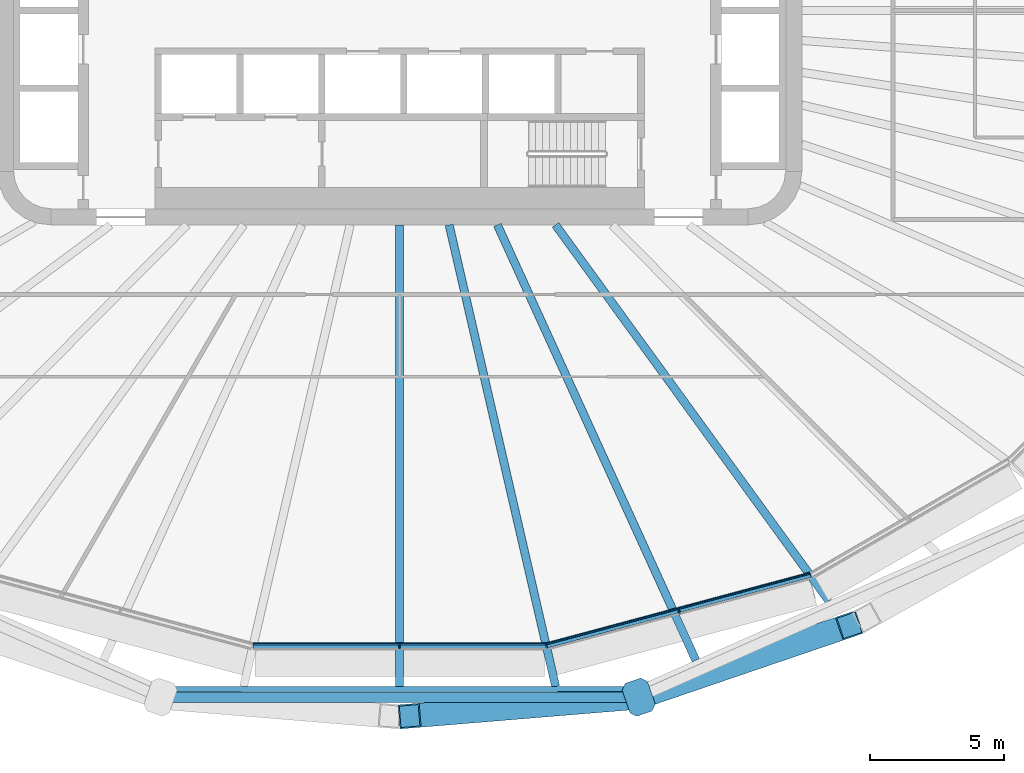
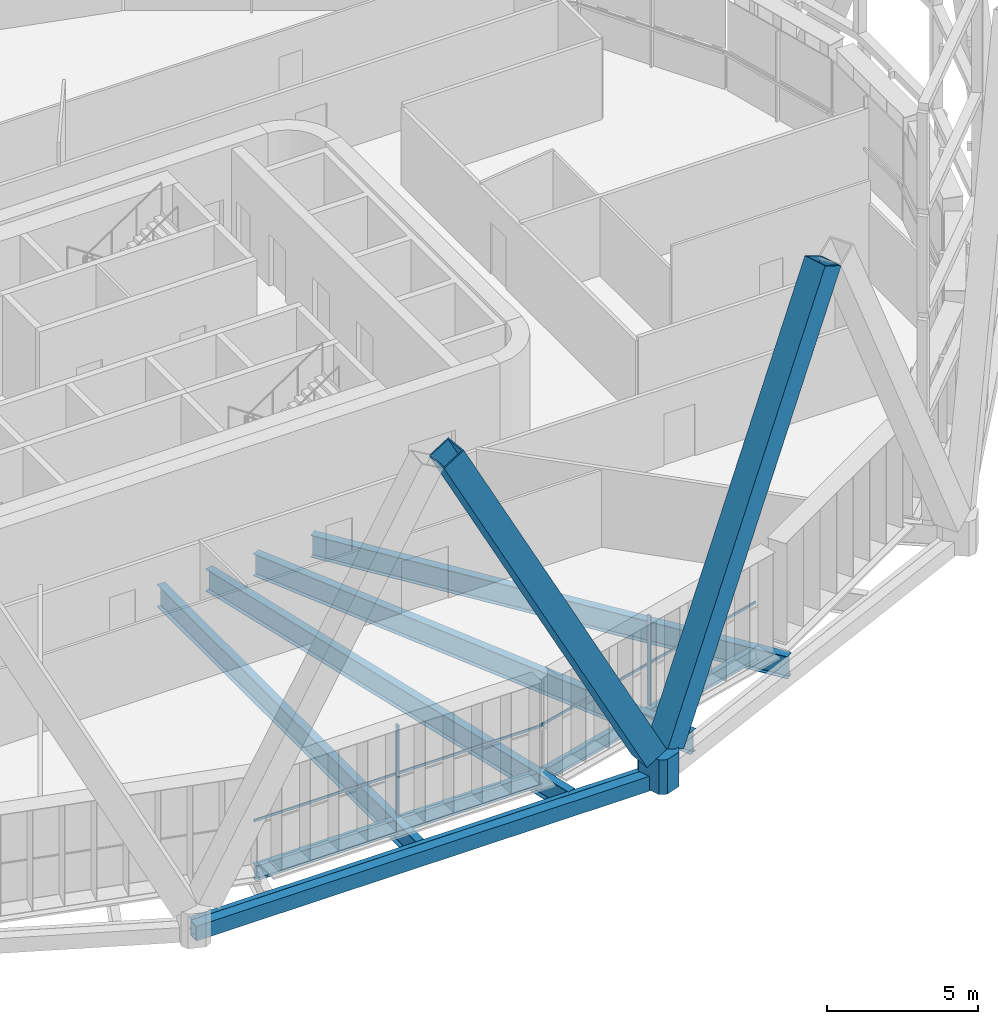
# One storey, part 4 of 26: 8 beams, 7 members, 2 elements without a shape of their own.
"""IFC4 building model written with IfcOpenShell, lengths in metres."""

from ifc_helpers import new_model, si_unit, direction, frame, origin, origin_2d, place, context, subcontext, project, spatial, polyline, rectangle, hollow_rectangle, i_section, outline, extrude, material, layer, layer_set, material_profile, profile_set, type_object, element, aggregate, save


model = new_model("IFC4")

# Units and contexts
model_context = context("Model", 3, precision=1e-05, world=origin(), true_north=direction((0.0, 1.0)))
body_context = subcontext(model_context, "Body", "Model", "MODEL_VIEW")
ifc_project = project(units=[si_unit("LENGTHUNIT", "METRE"), si_unit("AREAUNIT", "SQUARE_METRE"), si_unit("VOLUMEUNIT", "CUBIC_METRE"), si_unit("PLANEANGLEUNIT", "RADIAN"), si_unit("MASSUNIT", "GRAM", prefix="KILO")], contexts=[model_context])

# Site, building, storey
site_placement = place(None, origin())
site = spatial("IfcSite", under=ifc_project, at=site_placement, CompositionType="ELEMENT")
building_placement = place(site_placement, origin())
building = spatial("IfcBuilding", under=site, at=building_placement, Name="Sahrelin Media Tower", CompositionType="ELEMENT")
storey_placement = place(building_placement, frame((0.0, 0.0, 131.39990234375)))
storey = spatial("IfcBuildingStorey", under=building, at=storey_placement, Name="L26", CompositionType="ELEMENT", Elevation=131.39990234375)

# Members
ifc_material_1 = material(Name="Steel S460", Category="steel")
ifc_material_profile_1 = material_profile(ifc_material_1, hollow_rectangle(XDim=0.89990234375, YDim=0.89990234375, WallThickness=0.050048828125, at=origin_2d()), Name="Diagrid diagonal DG3")
ifc_profile_set_1 = profile_set([ifc_material_profile_1], Name="Steel S460")
member_type_1 = type_object("IfcMemberType", Name="Diagrid diagonal DG3", PredefinedType="BRACE", material=ifc_profile_set_1)
member_1_placement = place(storey_placement, frame((8.544189453125, -25.641845703125, 0.7001953125), z_axis=(-0.468421655714, -0.03859318675, 0.882661723649), x_axis=(0.082111624118, -0.996623138997, 0.0)))
element("IfcMember", 1, at=member_1_placement, inside=storey, type_object=member_type_1, Name="Diagrid diagonal D05-18", PredefinedType="BRACE", context=body_context, shape_type="SweptSolid", body=[
    extrude(hollow_rectangle(XDim=0.89990234375, YDim=0.89990234375, WallThickness=0.050048828125, at=origin_2d()), origin(), (0.0, 0.0, 1.0), 17.447021484375),
])
member_2_placement = place(storey_placement, frame((9.25732421875, -25.49462890625, 0.7001953125), z_axis=(0.433754821512, 0.147868079685, 0.888814820885), x_axis=(-0.322668293279, 0.946512109015, 0.0)))
element("IfcMember", 2, at=member_2_placement, inside=storey, type_object=member_type_1, Name="Diagrid diagonal D05-19", PredefinedType="BRACE", context=body_context, shape_type="SweptSolid", body=[
    extrude(hollow_rectangle(XDim=0.89990234375, YDim=0.89990234375, WallThickness=0.050048828125, at=origin_2d()), origin(), (0.0, 0.0, 1.0), 17.326416015625),
])
ifc_material_profile_2 = material_profile(ifc_material_1, outline(polyline([(0.449951171875, -0.5), (0.64990234375, -0.300048828125), (0.64990234375, 0.300048828125), (0.449951171875, 0.5), (-0.449951171875, 0.5), (-0.64990234375, 0.300048828125), (-0.64990234375, -0.300048828125), (-0.449951171875, -0.5), (0.449951171875, -0.5)])), Name="Diagrid node block 1300")
ifc_profile_set_2 = profile_set([ifc_material_profile_2], Name="Steel S460")
member_type_2 = type_object("IfcMemberType", Name="Diagrid node block 1300", PredefinedType="USERDEFINED", material=ifc_profile_set_2)
member_3_placement = place(storey_placement, frame((8.915771484375, -25.611083984375, -0.699951171875), z_axis=(0.0, 0.0, 1.0), x_axis=(0.328769398381, -0.944410230085, 0.0)))
element("IfcMember", 3, at=member_3_placement, inside=storey, type_object=member_type_2, Name="Diagrid node N05-09", ObjectType="NODE", PredefinedType="USERDEFINED", context=body_context, shape_type="SweptSolid", body=[
    extrude(outline(polyline([(0.449951171875, -0.5), (0.64990234375, -0.300048828125), (0.64990234375, 0.300048828125), (0.449951171875, 0.5), (-0.449951171875, 0.5), (-0.64990234375, 0.300048828125), (-0.64990234375, -0.300048828125), (-0.449951171875, -0.5), (0.449951171875, -0.5)])), origin(), (0.0, 0.0, 1.0), 1.400146484375),
])

# Beams
ifc_material_profile_3 = material_profile(ifc_material_1, hollow_rectangle(XDim=0.39990234375, YDim=0.60009765625, WallThickness=0.030029296875, at=origin_2d()), Name="Diagrid ring beam RB1")
ifc_profile_set_3 = profile_set([ifc_material_profile_3], Name="Steel S460")
beam_type_1 = type_object("IfcBeamType", Name="Diagrid ring beam RB1", PredefinedType="BEAM", material=ifc_profile_set_3)
beam_1_placement = place(storey_placement, frame((-8.915771484375, -25.611083984375, -0.449951171875), z_axis=(1.0, 0.0, 0.0), x_axis=(0.0, 1.0, 0.0)))
element("IfcBeam", 4, at=beam_1_placement, inside=storey, type_object=beam_type_1, Name="Diagrid ring beam RB05-08", PredefinedType="BEAM", context=body_context, shape_type="SweptSolid", body=[
    extrude(hollow_rectangle(XDim=0.39990234375, YDim=0.60009765625, WallThickness=0.030029296875, at=origin_2d()), origin(), (0.0, 0.0, 1.0), 17.83154296875),
])
ifc_material_2 = material(Name="Steel S355", Category="steel")
ifc_material_profile_4 = material_profile(ifc_material_2, i_section(OverallWidth=0.208740234375, OverallDepth=0.5283203125, WebThickness=0.009521484375, FlangeThickness=0.01318359375, FilletRadius=0.0126953125, at=origin_2d()), Name="UB 533x210x82")
ifc_profile_set_4 = profile_set([ifc_material_profile_4], Name="Steel S355")
beam_type_2 = type_object("IfcBeamType", Name="Edge beam EB6", PredefinedType="BEAM", material=ifc_profile_set_4)
beam_2_placement = place(storey_placement, frame((15.319091796875, -21.040283203125, -0.4140625), z_axis=(-0.965933162878, -0.258791663026, 0.0), x_axis=(0.258791663026, -0.965933162878, 0.0)))
element("IfcBeam", 5, at=beam_2_placement, inside=storey, type_object=beam_type_2, Name="Edge beam L26-06", PredefinedType="BEAM", context=body_context, shape_type="SweptSolid", body=[
    extrude(i_section(OverallWidth=0.208740234375, OverallDepth=0.5283203125, WebThickness=0.009521484375, FlangeThickness=0.01318359375, FilletRadius=0.0126953125, at=origin_2d()), origin(), (0.0, 0.0, 1.0), 10.173583984375),
])
ifc_material_profile_5 = material_profile(ifc_material_2, i_section(OverallWidth=0.2275390625, OverallDepth=0.6025390625, WebThickness=0.010498046875, FlangeThickness=0.014892578125, FilletRadius=0.0126953125, at=origin_2d()), Name="UB 610x229x101")
ifc_profile_set_5 = profile_set([ifc_material_profile_5], Name="Steel S355")
beam_type_3 = type_object("IfcBeamType", Name="Edge beam EB7", PredefinedType="BEAM", material=ifc_profile_set_5)
beam_3_placement = place(storey_placement, frame((5.463623046875, -23.677001953125, -0.451171875), z_axis=(-1.0, 0.0, 0.0), x_axis=(0.0, -1.0, 0.0)))
element("IfcBeam", 6, at=beam_3_placement, inside=storey, type_object=beam_type_3, Name="Edge beam L26-07", PredefinedType="BEAM", context=body_context, shape_type="SweptSolid", body=[
    extrude(i_section(OverallWidth=0.2275390625, OverallDepth=0.6025390625, WebThickness=0.010498046875, FlangeThickness=0.014892578125, FilletRadius=0.0126953125, at=origin_2d()), origin(), (0.0, 0.0, 1.0), 10.92724609375),
])

# Curtain wall, member
ifc_material_3 = material(Name="Champagne anodised aluminium 6063-T6", Category="aluminium")
ifc_layer = layer(ifc_material_3, 0.14990234375)
ifc_layer_set = layer_set([ifc_layer], Name="Tower ribbon curtain wall")
curtain_wall_type = type_object("IfcCurtainWallType", Name="Tower ribbon curtain wall", PredefinedType="NOTDEFINED", material=ifc_layer_set)
curtain_wall_1_placement = place(storey_placement, frame((0.0, -23.826904296875, 0.0), z_axis=(0.0, 0.0, 1.0), x_axis=(1.0, 0.0, 0.0)))
curtain_wall_1 = element("IfcCurtainWall", 7, at=curtain_wall_1_placement, inside=storey, type_object=curtain_wall_type, Name="L26:CW:L26-18", PredefinedType="NOTDEFINED")
ifc_material_profile_6 = material_profile(ifc_material_3, rectangle(XDim=0.06005859375, YDim=0.14990234375, at=origin_2d()), Name="Mullion 60x150")
ifc_profile_set_6 = profile_set([ifc_material_profile_6], Name="Champagne anodised aluminium 6063-T6")
member_type_3 = type_object("IfcMemberType", Name="Mullion 60x150 CW1", PredefinedType="MULLION", material=ifc_profile_set_6)
member_4_placement = place(storey_placement, frame((0.0, -23.73193359375, 0.0), z_axis=(0.0, 0.0, 1.0), x_axis=(1.0, 0.0, 0.0)))
member_4 = element("IfcMember", 8, at=member_4_placement, type_object=member_type_3, Name="L26:CWM:L26-18", PredefinedType="MULLION", context=body_context, shape_type="SweptSolid", body=[
    extrude(rectangle(XDim=0.06005859375, YDim=0.14990234375, at=origin_2d()), origin(), (0.0, 0.0, 1.0), 3.648681640625),
])

curtain_wall_2_placement = place(storey_placement, frame((10.4443359375, -22.501708984375, 0.0), z_axis=(0.0, 0.0, 1.0), x_axis=(1.0, 0.0, 0.0)))
curtain_wall_2 = element("IfcCurtainWall", 9, at=curtain_wall_2_placement, inside=storey, type_object=curtain_wall_type, Name="L26:CW:L26-19", PredefinedType="NOTDEFINED")
member_5_placement = place(storey_placement, frame((10.419921875, -22.409912109375, 0.0), z_axis=(0.0, 0.0, 1.0), x_axis=(0.965926278012, 0.258817359244, 0.0)))
member_5 = element("IfcMember", 10, at=member_5_placement, type_object=member_type_3, Name="L26:CWM:L26-19", PredefinedType="MULLION", context=body_context, shape_type="SweptSolid", body=[
    extrude(rectangle(XDim=0.06005859375, YDim=0.14990234375, at=origin_2d()), origin(), (0.0, 0.0, 1.0), 3.648681640625),
])

# Beams
ifc_material_profile_7 = material_profile(ifc_material_2, i_section(OverallWidth=0.30322265625, OverallDepth=0.903076171875, WebThickness=0.01513671875, FlangeThickness=0.020263671875, FilletRadius=0.01904296875, at=origin_2d()), Name="UB 914x305x201")
ifc_profile_set_7 = profile_set([ifc_material_profile_7], Name="Steel S355")
beam_type_4 = type_object("IfcBeamType", Name="Radial primary beam PB11", PredefinedType="BEAM", material=ifc_profile_set_7)
beam_4_placement = place(storey_placement, frame((1.845947265625, -8.0, -0.601318359375), z_axis=(0.22483427695, -0.9743970176, 0.0), x_axis=(0.9743970176, 0.22483427695, 0.0)))
element("IfcBeam", 11, at=beam_4_placement, inside=storey, type_object=beam_type_4, Name="Radial beam L26-19", PredefinedType="BEAM", context=body_context, shape_type="SweptSolid", body=[
    extrude(i_section(OverallWidth=0.30322265625, OverallDepth=0.903076171875, WebThickness=0.01513671875, FlangeThickness=0.020263671875, FilletRadius=0.01904296875, at=origin_2d()), origin(), (0.0, 0.0, 1.0), 17.668212890625),
])
beam_5_placement = place(storey_placement, frame((5.814453125, -8.0, -0.601318359375), z_axis=(0.587913818186, -0.808923570176, 0.0), x_axis=(0.808923570176, 0.587913818186, 0.0)))
element("IfcBeam", 12, at=beam_5_placement, inside=storey, type_object=beam_type_4, Name="Radial beam L26-20", PredefinedType="BEAM", context=body_context, shape_type="SweptSolid", body=[
    extrude(i_section(OverallWidth=0.30322265625, OverallDepth=0.903076171875, WebThickness=0.01513671875, FlangeThickness=0.020263671875, FilletRadius=0.01904296875, at=origin_2d()), origin(), (0.0, 0.0, 1.0), 17.33984375),
])
ifc_material_profile_8 = material_profile(ifc_material_2, i_section(OverallWidth=0.30322265625, OverallDepth=0.903076171875, WebThickness=0.01513671875, FlangeThickness=0.020263671875, FilletRadius=0.01904296875, at=origin_2d()), Name="UB 914x305x201")
ifc_profile_set_8 = profile_set([ifc_material_profile_8], Name="Steel S355")
beam_type_5 = type_object("IfcBeamType", Name="Radial secondary beam SB11", PredefinedType="BEAM", material=ifc_profile_set_8)
beam_6_placement = place(storey_placement, frame((0.0, -8.0, -0.601318359375), z_axis=(0.0, -1.0, 0.0), x_axis=(1.0, 0.0, 0.0)))
element("IfcBeam", 13, at=beam_6_placement, inside=storey, type_object=beam_type_5, Name="Secondary beam L26-18", PredefinedType="BEAM", context=body_context, shape_type="SweptSolid", body=[
    extrude(i_section(OverallWidth=0.30322265625, OverallDepth=0.903076171875, WebThickness=0.01513671875, FlangeThickness=0.020263671875, FilletRadius=0.01904296875, at=origin_2d()), origin(), (0.0, 0.0, 1.0), 17.2158203125),
])
beam_7_placement = place(storey_placement, frame((3.64599609375, -8.0, -0.601318359375), z_axis=(0.414718365894, -0.909949821138, 0.0), x_axis=(0.909949821138, 0.414718365894, 0.0)))
element("IfcBeam", 14, at=beam_7_placement, inside=storey, type_object=beam_type_5, Name="Secondary beam L26-19", PredefinedType="BEAM", context=body_context, shape_type="SweptSolid", body=[
    extrude(i_section(OverallWidth=0.30322265625, OverallDepth=0.903076171875, WebThickness=0.01513671875, FlangeThickness=0.020263671875, FilletRadius=0.01904296875, at=origin_2d()), origin(), (0.0, 0.0, 1.0), 17.839111328125),
])
ifc_material_profile_9 = material_profile(ifc_material_2, i_section(OverallWidth=0.1904296875, OverallDepth=0.45703125, WebThickness=0.009033203125, FlangeThickness=0.014404296875, FilletRadius=0.01025390625, at=origin_2d()), Name="UB 457x191x74")
ifc_profile_set_9 = profile_set([ifc_material_profile_9], Name="Steel S355")
beam_type_6 = type_object("IfcBeamType", Name="Tie chord TC5", PredefinedType="BEAM", material=ifc_profile_set_9)
beam_8_placement = place(storey_placement, frame((8.85205078125, -25.31103515625, -0.37841796875), z_axis=(-1.0, 0.0, 0.0), x_axis=(0.0, -1.0, 0.0)))
element("IfcBeam", 15, at=beam_8_placement, inside=storey, type_object=beam_type_6, Name="Tie chord L26-04", PredefinedType="BEAM", context=body_context, shape_type="SweptSolid", body=[
    extrude(i_section(OverallWidth=0.1904296875, OverallDepth=0.45703125, WebThickness=0.009033203125, FlangeThickness=0.014404296875, FilletRadius=0.01025390625, at=origin_2d()), origin(), (0.0, 0.0, 1.0), 17.7041015625),
])

# Member
ifc_material_profile_10 = material_profile(ifc_material_3, rectangle(XDim=0.050048828125, YDim=0.10009765625, at=origin_2d()), Name="Transom 50x100")
ifc_profile_set_10 = profile_set([ifc_material_profile_10], Name="Champagne anodised aluminium 6063-T6")
member_type_4 = type_object("IfcMemberType", Name="Transom 50x100 CW1", PredefinedType="USERDEFINED", material=ifc_profile_set_10)
member_6_placement = place(storey_placement, frame((-5.447998046875, -23.632080078125, 1.60009765625), z_axis=(1.0, 0.0, 0.0), x_axis=(0.0, 1.0, 0.0)))
member_6 = element("IfcMember", 16, at=member_6_placement, type_object=member_type_4, Name="L26:CWT:L26-18", ObjectType="TRANSOM", PredefinedType="USERDEFINED", context=body_context, shape_type="SweptSolid", body=[
    extrude(rectangle(XDim=0.050048828125, YDim=0.10009765625, at=origin_2d()), origin(), (0.0, 0.0, 1.0), 10.89599609375),
])

aggregate(curtain_wall_1, [member_4, member_6])

member_7_placement = place(storey_placement, frame((5.49560546875, -23.625732421875, 1.60009765625), z_axis=(0.965924197151, 0.25882512505, 0.0), x_axis=(-0.25882512505, 0.965924197151, 0.0)))
member_7 = element("IfcMember", 17, at=member_7_placement, type_object=member_type_4, Name="L26:CWT:L26-19", ObjectType="TRANSOM", PredefinedType="USERDEFINED", context=body_context, shape_type="SweptSolid", body=[
    extrude(rectangle(XDim=0.050048828125, YDim=0.10009765625, at=origin_2d()), origin(), (0.0, 0.0, 1.0), 10.14208984375),
])

aggregate(curtain_wall_2, [member_5, member_7])

save(model, "model.ifc")
